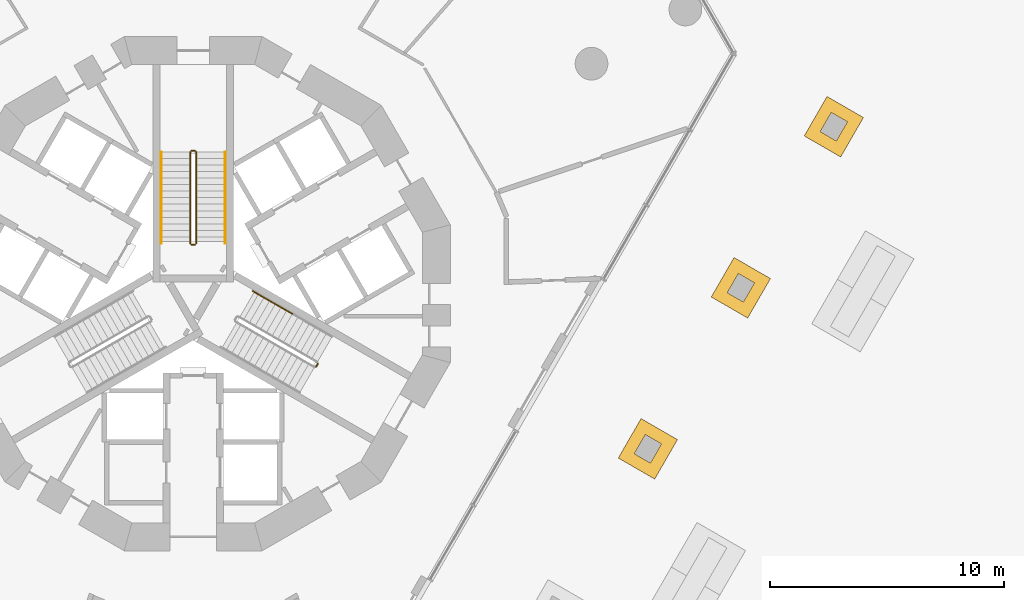
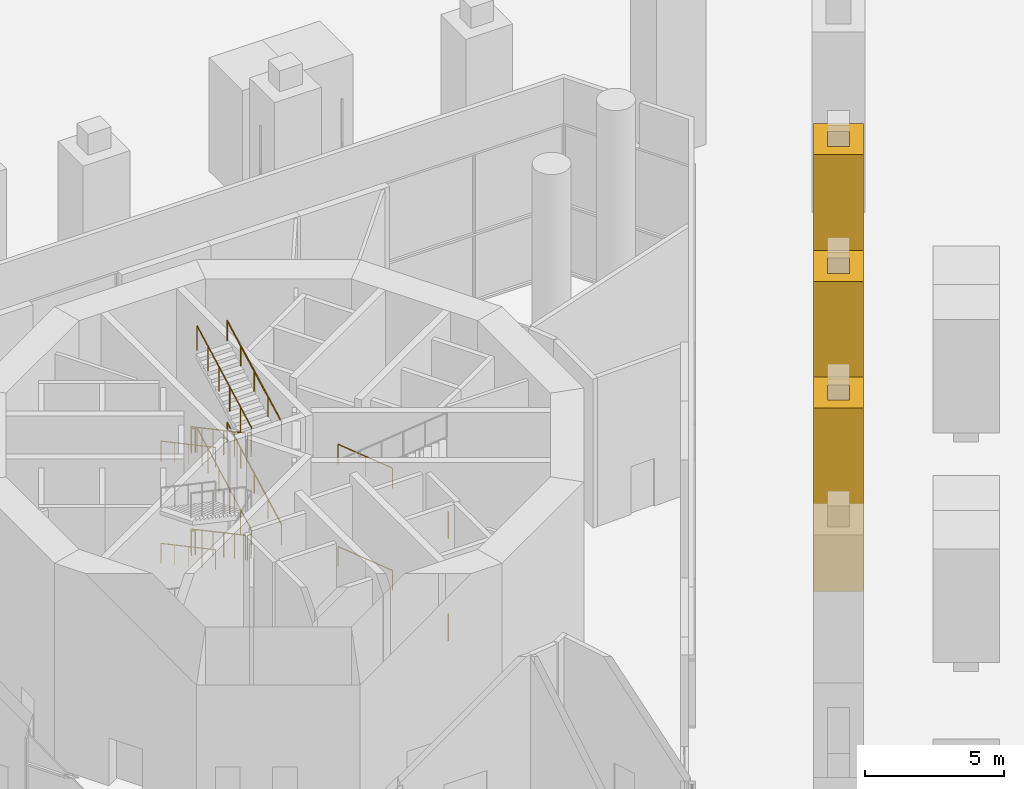
# One storey, part 23 of 26: 16 railings, 3 coverings.
"""IFC4 building model written with IfcOpenShell, lengths in metres."""

from ifc_helpers import new_model, si_unit, direction, frame, origin, origin_2d, place, context, subcontext, project, spatial, polyline, circle, outline, extrude, material, layer, layer_set, type_object, element, save


model = new_model("IFC4")

# Units and contexts
model_context = context("Model", 3, precision=1e-05, world=origin(), true_north=direction((0.0, 1.0)))
body_context = subcontext(model_context, "Body", "Model", "MODEL_VIEW")
ifc_project = project(units=[si_unit("LENGTHUNIT", "METRE"), si_unit("AREAUNIT", "SQUARE_METRE"), si_unit("VOLUMEUNIT", "CUBIC_METRE"), si_unit("PLANEANGLEUNIT", "RADIAN"), si_unit("MASSUNIT", "GRAM", prefix="KILO")], contexts=[model_context])

# Site, building, storey
site_placement = place(None, origin())
site = spatial("IfcSite", under=ifc_project, at=site_placement, CompositionType="ELEMENT")
building_placement = place(site_placement, origin())
building = spatial("IfcBuilding", under=site, at=building_placement, Name="Trine Commons Tower", CompositionType="ELEMENT")
storey_placement = place(building_placement, origin())
storey = spatial("IfcBuildingStorey", under=building, at=storey_placement, Name="L00", CompositionType="ELEMENT", Elevation=0.0)

# Coverings
ifc_material_1 = material(Name="Limestone, honed", Category="masonry")
ifc_layer = layer(ifc_material_1, 0.5)
ifc_layer_set = layer_set([ifc_layer], Name="Limestone, honed")
covering_type = type_object("IfcCoveringType", Name="Limestone pier cladding 500", PredefinedType="CLADDING", material=ifc_layer_set)
covering_1_placement = place(storey_placement, origin())
element("IfcCovering", 1, at=covering_1_placement, inside=storey, type_object=covering_type, Name="Limestone stilt pier cladding 19", PredefinedType="CLADDING", context=body_context, shape_type="SweptSolid", body=[
    extrude(outline(polyline([(100.738037109375, 56.250244140625), (99.17919921875, 57.150390625), (98.204345703125, 55.46142578125), (99.76318359375, 54.5615234375), (100.738037109375, 56.250244140625)]), holes=[polyline([(100.05517578125, 56.0673828125), (99.3623046875, 56.46728515625), (98.88720703125, 55.64453125), (99.580078125, 55.244384765625), (100.05517578125, 56.0673828125)])]), origin(), (0.0, 0.0, 1.0), 8.080078125),
])
covering_2_placement = place(storey_placement, origin())
element("IfcCovering", 2, at=covering_2_placement, inside=storey, type_object=covering_type, Name="Limestone stilt pier cladding 21", PredefinedType="CLADDING", context=body_context, shape_type="SweptSolid", body=[
    extrude(outline(polyline([(104.7197265625, 63.146728515625), (103.160888671875, 64.046875), (102.18603515625, 62.35791015625), (103.744873046875, 61.4580078125), (104.7197265625, 63.146728515625)]), holes=[polyline([(104.036865234375, 62.9638671875), (103.343994140625, 63.36376953125), (102.868896484375, 62.541015625), (103.561767578125, 62.14111328125), (104.036865234375, 62.9638671875)])]), origin(), (0.0, 0.0, 1.0), 8.080078125),
])
covering_3_placement = place(storey_placement, origin())
element("IfcCovering", 3, at=covering_3_placement, inside=storey, type_object=covering_type, Name="Limestone stilt pier cladding 22", PredefinedType="CLADDING", context=body_context, shape_type="SweptSolid", body=[
    extrude(outline(polyline([(108.701416015625, 70.043212890625), (107.142578125, 70.943359375), (106.167724609375, 69.25439453125), (107.7265625, 68.3544921875), (108.701416015625, 70.043212890625)]), holes=[polyline([(108.0185546875, 69.8603515625), (107.32568359375, 70.26025390625), (106.8505859375, 69.4375), (107.54345703125, 69.03759765625), (108.0185546875, 69.8603515625)])]), origin(), (0.0, 0.0, 1.0), 8.080078125),
])

# Railings
ifc_material_2 = material(Name="Stainless steel balustrade", Category="steel")
railing_type_1 = type_object("IfcRailingType", Name="Stair guard, steel balustrade 1100", PredefinedType="GUARDRAIL", material=ifc_material_2)
railing_1_placement = place(storey_placement, frame((79.875, 68.570556640625, 0.14990234375)))
element("IfcRailing", 4, at=railing_1_placement, inside=storey, type_object=railing_type_1, Name="L00 ST1A stair guard 1", PredefinedType="GUARDRAIL", context=body_context, shape_type="SweptSolid", body=[
    extrude(circle(Radius=0.02392578125, at=origin_2d()), frame((0.0, 0.0, 1.076171875), z_axis=(0.0, -0.881466911329, 0.472245787945), x_axis=(1.0, 0.0, 0.0)), (0.0, 0.0, 1.0), 4.447021484375),
    extrude(circle(Radius=0.02099609375, at=origin_2d()), origin(), (0.0, 0.0, 1.0), 1.052001953125),
    extrude(circle(Radius=0.02099609375, at=origin_2d()), frame((0.0, -0.783935546875, 0.419921875)), (0.0, 0.0, 1.0), 1.052001953125),
    extrude(circle(Radius=0.02099609375, at=origin_2d()), frame((0.0, -1.56787109375, 0.840087890625)), (0.0, 0.0, 1.0), 1.052001953125),
    extrude(circle(Radius=0.02099609375, at=origin_2d()), frame((0.0, -2.35205078125, 1.260009765625)), (0.0, 0.0, 1.0), 1.052001953125),
    extrude(circle(Radius=0.02099609375, at=origin_2d()), frame((0.0, -3.135986328125, 1.68017578125)), (0.0, 0.0, 1.0), 1.052001953125),
    extrude(circle(Radius=0.02099609375, at=origin_2d()), frame((0.0, -3.919921875, 2.10009765625)), (0.0, 0.0, 1.0), 1.052001953125),
])
railing_2_placement = place(storey_placement, frame((79.925048828125, 64.6005859375, 2.25)))
element("IfcRailing", 5, at=railing_2_placement, inside=storey, type_object=railing_type_1, Name="L00 ST1A stair guard 2", PredefinedType="GUARDRAIL", context=body_context, shape_type="SweptSolid", body=[
    extrude(circle(Radius=0.02392578125, at=origin_2d()), frame((0.0, 0.0, 1.076171875), z_axis=(1.0, 0.0, 0.0), x_axis=(0.0, 1.0, 0.0)), (0.0, 0.0, 1.0), 0.14990234375),
    extrude(circle(Radius=0.02099609375, at=origin_2d()), origin(), (0.0, 0.0, 1.0), 1.052001953125),
    extrude(circle(Radius=0.02099609375, at=origin_2d()), frame((0.14990234375, 0.0, 0.0)), (0.0, 0.0, 1.0), 1.052001953125),
])
railing_3_placement = place(storey_placement, frame((80.125, 64.650634765625, 2.39990234375)))
element("IfcRailing", 6, at=railing_3_placement, inside=storey, type_object=railing_type_1, Name="L00 ST1A stair guard 3", PredefinedType="GUARDRAIL", context=body_context, shape_type="SweptSolid", body=[
    extrude(circle(Radius=0.02392578125, at=origin_2d()), frame((0.0, 0.0, 1.076171875), z_axis=(0.0, 0.881466911329, 0.472245787945), x_axis=(-1.0, 0.0, 0.0)), (0.0, 0.0, 1.0), 4.447021484375),
    extrude(circle(Radius=0.02099609375, at=origin_2d()), origin(), (0.0, 0.0, 1.0), 1.052001953125),
    extrude(circle(Radius=0.02099609375, at=origin_2d()), frame((0.0, 0.783935546875, 0.419921875)), (0.0, 0.0, 1.0), 1.052001953125),
    extrude(circle(Radius=0.02099609375, at=origin_2d()), frame((0.0, 1.56787109375, 0.840087890625)), (0.0, 0.0, 1.0), 1.052001953125),
    extrude(circle(Radius=0.02099609375, at=origin_2d()), frame((0.0, 2.35205078125, 1.260009765625)), (0.0, 0.0, 1.0), 1.052001953125),
    extrude(circle(Radius=0.02099609375, at=origin_2d()), frame((0.0, 3.135986328125, 1.68017578125)), (0.0, 0.0, 1.0), 1.052001953125),
    extrude(circle(Radius=0.02099609375, at=origin_2d()), frame((0.0, 3.919921875, 2.10009765625)), (0.0, 0.0, 1.0), 1.052001953125),
])
railing_4_placement = place(storey_placement, frame((79.925048828125, 68.62060546875, 4.5)))
element("IfcRailing", 7, at=railing_4_placement, inside=storey, type_object=railing_type_1, Name="L00 ST1A stair guard 4", PredefinedType="GUARDRAIL", context=body_context, shape_type="SweptSolid", body=[
    extrude(circle(Radius=0.02392578125, at=origin_2d()), frame((0.0, 0.0, 1.076171875), z_axis=(1.0, 0.0, 0.0), x_axis=(0.0, 1.0, 0.0)), (0.0, 0.0, 1.0), 0.14990234375),
    extrude(circle(Radius=0.02099609375, at=origin_2d()), origin(), (0.0, 0.0, 1.0), 1.052001953125),
    extrude(circle(Radius=0.02099609375, at=origin_2d()), frame((0.14990234375, 0.0, 0.0)), (0.0, 0.0, 1.0), 1.052001953125),
])
railing_5_placement = place(storey_placement, frame((79.875, 68.570556640625, 4.64990234375)))
element("IfcRailing", 8, at=railing_5_placement, inside=storey, type_object=railing_type_1, Name="L00 ST1A stair guard 5", PredefinedType="GUARDRAIL", context=body_context, shape_type="SweptSolid", body=[
    extrude(circle(Radius=0.02392578125, at=origin_2d()), frame((0.0, 0.0, 1.076171875), z_axis=(0.0, -0.881466911329, 0.472245787945), x_axis=(1.0, 0.0, 0.0)), (0.0, 0.0, 1.0), 4.447021484375),
    extrude(circle(Radius=0.02099609375, at=origin_2d()), origin(), (0.0, 0.0, 1.0), 1.052001953125),
    extrude(circle(Radius=0.02099609375, at=origin_2d()), frame((0.0, -0.783935546875, 0.419921875)), (0.0, 0.0, 1.0), 1.052001953125),
    extrude(circle(Radius=0.02099609375, at=origin_2d()), frame((0.0, -1.56787109375, 0.840087890625)), (0.0, 0.0, 1.0), 1.052001953125),
    extrude(circle(Radius=0.02099609375, at=origin_2d()), frame((0.0, -2.35205078125, 1.260009765625)), (0.0, 0.0, 1.0), 1.052001953125),
    extrude(circle(Radius=0.02099609375, at=origin_2d()), frame((0.0, -3.135986328125, 1.68017578125)), (0.0, 0.0, 1.0), 1.052001953125),
    extrude(circle(Radius=0.02099609375, at=origin_2d()), frame((0.0, -3.919921875, 2.10009765625)), (0.0, 0.0, 1.0), 1.052001953125),
])
railing_6_placement = place(storey_placement, frame((79.925048828125, 64.6005859375, 6.75)))
element("IfcRailing", 9, at=railing_6_placement, inside=storey, type_object=railing_type_1, Name="L00 ST1A stair guard 6", PredefinedType="GUARDRAIL", context=body_context, shape_type="SweptSolid", body=[
    extrude(circle(Radius=0.02392578125, at=origin_2d()), frame((0.0, 0.0, 1.076171875), z_axis=(1.0, 0.0, 0.0), x_axis=(0.0, 1.0, 0.0)), (0.0, 0.0, 1.0), 0.14990234375),
    extrude(circle(Radius=0.02099609375, at=origin_2d()), origin(), (0.0, 0.0, 1.0), 1.052001953125),
    extrude(circle(Radius=0.02099609375, at=origin_2d()), frame((0.14990234375, 0.0, 0.0)), (0.0, 0.0, 1.0), 1.052001953125),
])
railing_7_placement = place(storey_placement, frame((80.125, 64.650634765625, 6.89990234375)))
element("IfcRailing", 10, at=railing_7_placement, inside=storey, type_object=railing_type_1, Name="L00 ST1A stair guard 7", PredefinedType="GUARDRAIL", context=body_context, shape_type="SweptSolid", body=[
    extrude(circle(Radius=0.02392578125, at=origin_2d()), frame((0.0, 0.0, 1.076171875), z_axis=(0.0, 0.881466911329, 0.472245787945), x_axis=(-1.0, 0.0, 0.0)), (0.0, 0.0, 1.0), 4.447021484375),
    extrude(circle(Radius=0.02099609375, at=origin_2d()), origin(), (0.0, 0.0, 1.0), 1.052001953125),
    extrude(circle(Radius=0.02099609375, at=origin_2d()), frame((0.0, 0.783935546875, 0.419921875)), (0.0, 0.0, 1.0), 1.052001953125),
    extrude(circle(Radius=0.02099609375, at=origin_2d()), frame((0.0, 1.56787109375, 0.840087890625)), (0.0, 0.0, 1.0), 1.052001953125),
    extrude(circle(Radius=0.02099609375, at=origin_2d()), frame((0.0, 2.35205078125, 1.260009765625)), (0.0, 0.0, 1.0), 1.052001953125),
    extrude(circle(Radius=0.02099609375, at=origin_2d()), frame((0.0, 3.135986328125, 1.68017578125)), (0.0, 0.0, 1.0), 1.052001953125),
    extrude(circle(Radius=0.02099609375, at=origin_2d()), frame((0.0, 3.919921875, 2.10009765625)), (0.0, 0.0, 1.0), 1.052001953125),
])
railing_8_placement = place(storey_placement, frame((79.925048828125, 68.62060546875, 0.0)))
element("IfcRailing", 11, at=railing_8_placement, inside=storey, type_object=railing_type_1, Name="L00 ST1A stair guard 8", PredefinedType="GUARDRAIL", context=body_context, shape_type="SweptSolid", body=[
    extrude(circle(Radius=0.02392578125, at=origin_2d()), frame((0.0, 0.0, 1.076171875), z_axis=(1.0, 0.0, 0.0), x_axis=(0.0, 1.0, 0.0)), (0.0, 0.0, 1.0), 0.14990234375),
    extrude(circle(Radius=0.02099609375, at=origin_2d()), origin(), (0.0, 0.0, 1.0), 1.052001953125),
    extrude(circle(Radius=0.02099609375, at=origin_2d()), frame((0.14990234375, 0.0, 0.0)), (0.0, 0.0, 1.0), 1.052001953125),
])
for number, where, name in (
    (12, (85.338134765625, 59.504638671875, 4.5), "L00 ST3A stair guard 4"),
    (13, (85.338134765625, 59.504638671875, 0.0), "L00 ST3A stair guard 8"),
):
    element("IfcRailing", number, at=place(storey_placement, frame(where)), inside=storey, type_object=railing_type_1, Name=name, PredefinedType="GUARDRAIL", context=body_context, shape_type="SweptSolid", body=[
        extrude(circle(Radius=0.02392578125, at=origin_2d()), frame((0.0, 0.0, 1.076171875), z_axis=(-0.499816412211, -0.866131372301, 0.0), x_axis=(0.866131372301, -0.499816412211, 0.0)), (0.0, 0.0, 1.0), 0.14990234375),
        extrude(circle(Radius=0.02099609375, at=origin_2d()), origin(), (0.0, 0.0, 1.0), 1.052001953125),
        extrude(circle(Radius=0.02099609375, at=origin_2d()), frame((-0.074951171875, -0.1298828125, 0.0)), (0.0, 0.0, 1.0), 1.052001953125),
    ])
ifc_material_3 = material(Name="Stainless steel handrail", Category="steel")
railing_type_2 = type_object("IfcRailingType", Name="Stair handrail, steel 900", PredefinedType="HANDRAIL", material=ifc_material_3)
railing_9_placement = place(storey_placement, frame((78.625, 68.570556640625, 0.14990234375)))
element("IfcRailing", 14, at=railing_9_placement, inside=storey, type_object=railing_type_2, Name="L00 ST1A stair handrail 1", PredefinedType="HANDRAIL", context=body_context, shape_type="SweptSolid", body=[
    extrude(circle(Radius=0.02099609375, at=origin_2d()), frame((0.0, 0.0, 0.87890625), z_axis=(0.0, -0.881466911329, 0.472245787945), x_axis=(1.0, 0.0, 0.0)), (0.0, 0.0, 1.0), 4.447021484375),
    extrude(circle(Radius=0.01513671875, at=origin_2d()), origin(), (0.0, 0.0, 1.0), 0.85791015625),
    extrude(circle(Radius=0.01513671875, at=origin_2d()), frame((0.0, -0.97998046875, 0.52490234375)), (0.0, 0.0, 1.0), 0.85791015625),
    extrude(circle(Radius=0.01513671875, at=origin_2d()), frame((0.0, -1.9599609375, 1.050048828125)), (0.0, 0.0, 1.0), 0.85791015625),
    extrude(circle(Radius=0.01513671875, at=origin_2d()), frame((0.0, -2.93994140625, 1.5751953125)), (0.0, 0.0, 1.0), 0.85791015625),
    extrude(circle(Radius=0.01513671875, at=origin_2d()), frame((0.0, -3.919921875, 2.10009765625)), (0.0, 0.0, 1.0), 0.85791015625),
])
railing_10_placement = place(storey_placement, frame((81.375, 64.650634765625, 2.39990234375)))
element("IfcRailing", 15, at=railing_10_placement, inside=storey, type_object=railing_type_2, Name="L00 ST1A stair handrail 2", PredefinedType="HANDRAIL", context=body_context, shape_type="SweptSolid", body=[
    extrude(circle(Radius=0.02099609375, at=origin_2d()), frame((0.0, 0.0, 0.87890625), z_axis=(0.0, 0.881466911329, 0.472245787945), x_axis=(-1.0, 0.0, 0.0)), (0.0, 0.0, 1.0), 4.447021484375),
    extrude(circle(Radius=0.01513671875, at=origin_2d()), origin(), (0.0, 0.0, 1.0), 0.85791015625),
    extrude(circle(Radius=0.01513671875, at=origin_2d()), frame((0.0, 0.97998046875, 0.52490234375)), (0.0, 0.0, 1.0), 0.85791015625),
    extrude(circle(Radius=0.01513671875, at=origin_2d()), frame((0.0, 1.9599609375, 1.050048828125)), (0.0, 0.0, 1.0), 0.85791015625),
    extrude(circle(Radius=0.01513671875, at=origin_2d()), frame((0.0, 2.93994140625, 1.5751953125)), (0.0, 0.0, 1.0), 0.85791015625),
    extrude(circle(Radius=0.01513671875, at=origin_2d()), frame((0.0, 3.919921875, 2.10009765625)), (0.0, 0.0, 1.0), 0.85791015625),
])
railing_11_placement = place(storey_placement, frame((78.625, 68.570556640625, 4.64990234375)))
element("IfcRailing", 16, at=railing_11_placement, inside=storey, type_object=railing_type_2, Name="L00 ST1A stair handrail 3", PredefinedType="HANDRAIL", context=body_context, shape_type="SweptSolid", body=[
    extrude(circle(Radius=0.02099609375, at=origin_2d()), frame((0.0, 0.0, 0.87890625), z_axis=(0.0, -0.881466911329, 0.472245787945), x_axis=(1.0, 0.0, 0.0)), (0.0, 0.0, 1.0), 4.447021484375),
    extrude(circle(Radius=0.01513671875, at=origin_2d()), origin(), (0.0, 0.0, 1.0), 0.85791015625),
    extrude(circle(Radius=0.01513671875, at=origin_2d()), frame((0.0, -0.97998046875, 0.52490234375)), (0.0, 0.0, 1.0), 0.85791015625),
    extrude(circle(Radius=0.01513671875, at=origin_2d()), frame((0.0, -1.9599609375, 1.050048828125)), (0.0, 0.0, 1.0), 0.85791015625),
    extrude(circle(Radius=0.01513671875, at=origin_2d()), frame((0.0, -2.93994140625, 1.5751953125)), (0.0, 0.0, 1.0), 0.85791015625),
    extrude(circle(Radius=0.01513671875, at=origin_2d()), frame((0.0, -3.919921875, 2.10009765625)), (0.0, 0.0, 1.0), 0.85791015625),
])
railing_12_placement = place(storey_placement, frame((81.375, 64.650634765625, 6.89990234375)))
element("IfcRailing", 17, at=railing_12_placement, inside=storey, type_object=railing_type_2, Name="L00 ST1A stair handrail 4", PredefinedType="HANDRAIL", context=body_context, shape_type="SweptSolid", body=[
    extrude(circle(Radius=0.02099609375, at=origin_2d()), frame((0.0, 0.0, 0.87890625), z_axis=(0.0, 0.881466911329, 0.472245787945), x_axis=(-1.0, 0.0, 0.0)), (0.0, 0.0, 1.0), 4.447021484375),
    extrude(circle(Radius=0.01513671875, at=origin_2d()), origin(), (0.0, 0.0, 1.0), 0.85791015625),
    extrude(circle(Radius=0.01513671875, at=origin_2d()), frame((0.0, 0.97998046875, 0.52490234375)), (0.0, 0.0, 1.0), 0.85791015625),
    extrude(circle(Radius=0.01513671875, at=origin_2d()), frame((0.0, 1.9599609375, 1.050048828125)), (0.0, 0.0, 1.0), 0.85791015625),
    extrude(circle(Radius=0.01513671875, at=origin_2d()), frame((0.0, 2.93994140625, 1.5751953125)), (0.0, 0.0, 1.0), 0.85791015625),
    extrude(circle(Radius=0.01513671875, at=origin_2d()), frame((0.0, 3.919921875, 2.10009765625)), (0.0, 0.0, 1.0), 0.85791015625),
])
for number, where, name in (
    (18, (84.247314453125, 61.635498046875, 1.199951171875), "L00 ST3A stair handrail 2"),
    (19, (84.247314453125, 61.635498046875, 5.699951171875), "L00 ST3A stair handrail 6"),
):
    element("IfcRailing", number, at=place(storey_placement, frame(where)), inside=storey, type_object=railing_type_2, Name=name, PredefinedType="HANDRAIL", context=body_context, shape_type="SweptSolid", body=[
        extrude(circle(Radius=0.02099609375, at=origin_2d()), frame((0.0, 0.0, 0.87890625), z_axis=(-0.763352030933, 0.440750151347, 0.472263677365), x_axis=(-0.500024377727, -0.866011328839, 0.0)), (0.0, 0.0, 1.0), 2.223388671875),
        extrude(circle(Radius=0.01513671875, at=origin_2d()), origin(), (0.0, 0.0, 1.0), 0.85791015625),
        extrude(circle(Radius=0.01513671875, at=origin_2d()), frame((-0.8486328125, 0.489990234375, 0.52490234375)), (0.0, 0.0, 1.0), 0.85791015625),
        extrude(circle(Radius=0.01513671875, at=origin_2d()), frame((-1.697265625, 0.97998046875, 1.050048828125)), (0.0, 0.0, 1.0), 0.85791015625),
    ])

save(model, "model.ifc")
